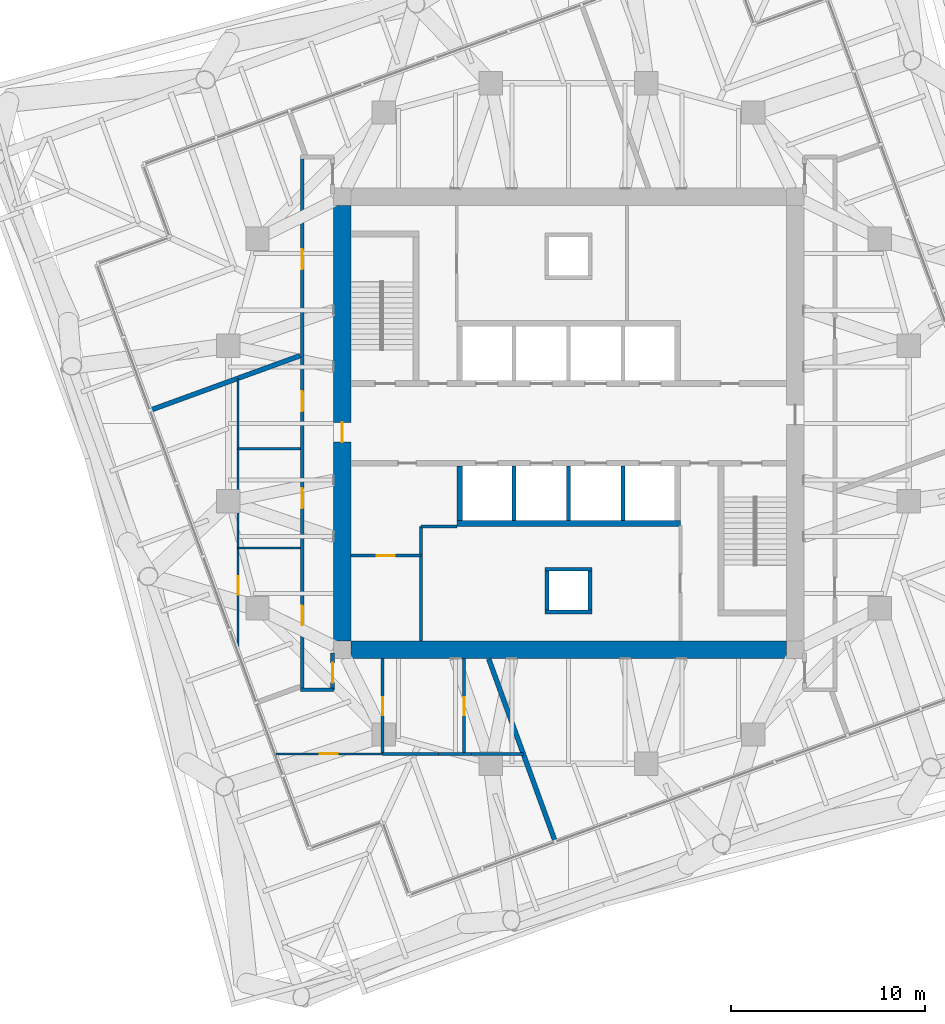
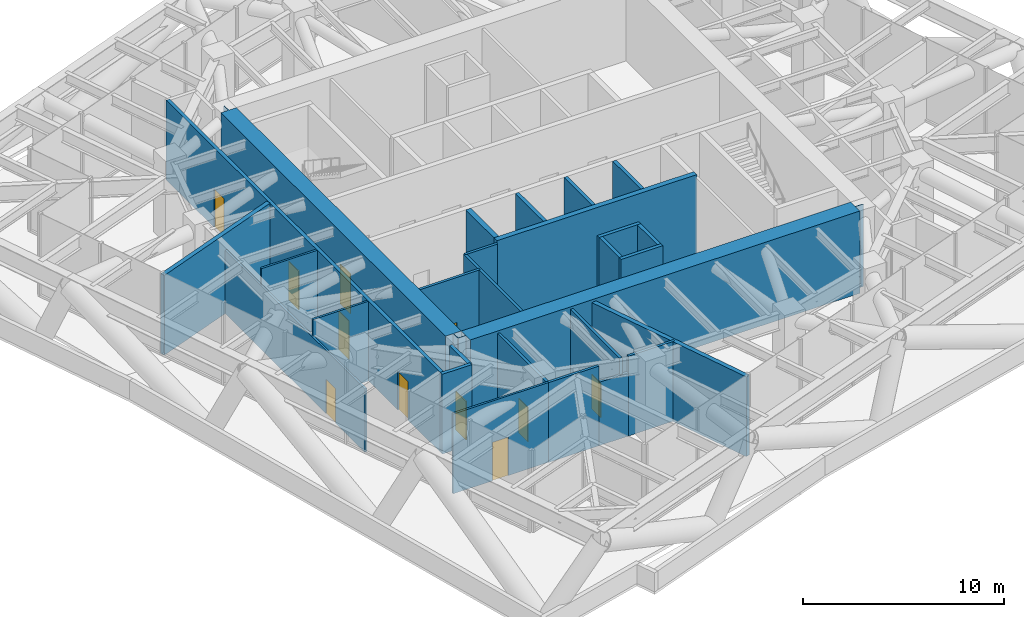
# One storey, part 8 of 12: 28 walls, 11 doors, 11 openings.
"""IFC4 building model written with IfcOpenShell, lengths in metres."""

from ifc_helpers import new_model, si_unit, direction, frame, frame_2d, origin, place, context, subcontext, project, spatial, polyline, rectangle, outline, extrude, material, layer, layer_set, type_object, element, fill, save


model = new_model("IFC4")

# Units and contexts
model_context = context("Model", 3, precision=1e-05, world=origin(), true_north=direction((0.0, 1.0)))
body_context = subcontext(model_context, "Body", "Model", "MODEL_VIEW")
ifc_project = project(units=[si_unit("LENGTHUNIT", "METRE"), si_unit("AREAUNIT", "SQUARE_METRE"), si_unit("VOLUMEUNIT", "CUBIC_METRE"), si_unit("PLANEANGLEUNIT", "RADIAN"), si_unit("MASSUNIT", "GRAM", prefix="KILO")], contexts=[model_context])

# Site, building, storey
site_placement = place(None, origin())
site = spatial("IfcSite", under=ifc_project, at=site_placement, CompositionType="ELEMENT")
building_placement = place(site_placement, origin())
building = spatial("IfcBuilding", under=site, at=building_placement, Name="Torsade Residences", CompositionType="ELEMENT")
storey_placement = place(building_placement, frame((0.0, 0.0, 138.800048828125)))
storey = spatial("IfcBuildingStorey", under=building, at=storey_placement, Name="L38", CompositionType="ELEMENT", Elevation=138.800048828125)

# Walls
ifc_material_1 = material(Name="Concrete 80 MPa", Category="concrete")
ifc_layer_1 = layer(ifc_material_1, 0.300048828125)
ifc_layer_set_1 = layer_set([ifc_layer_1], Name="Concrete 80 MPa")
wall_type_1 = type_object("IfcWallType", Name="CORE INTERNAL WALL 300", PredefinedType="SHEAR", material=ifc_layer_set_1)
wall_1_placement = place(storey_placement, frame((45.75, 24.85009765625, 0.0), z_axis=(0.0, 0.0, 1.0), x_axis=(-1.0, 0.0, 0.0)))
element("IfcWall", 1, at=wall_1_placement, inside=storey, type_object=wall_type_1, Name="Core wall BS L38", PredefinedType="SHEAR", context=body_context, shape_type="SweptSolid", body=[
    extrude(rectangle(XDim=11.5, YDim=0.300048828125, at=frame_2d((5.75, 0.0))), origin(), (0.0, 0.0, 1.0), 5.0),
])
wall_2_placement = place(storey_placement, frame((34.39990234375, 27.800048828125, 0.0), z_axis=(0.0, 0.0, 1.0), x_axis=(0.0, -1.0, 0.0)))
element("IfcWall", 2, at=wall_2_placement, inside=storey, type_object=wall_type_1, Name="Core wall DS4 L38", PredefinedType="SHEAR", context=body_context, shape_type="SweptSolid", body=[
    extrude(rectangle(XDim=2.800048828125, YDim=0.300048828125, at=frame_2d((1.39990234375, 0.0))), origin(), (0.0, 0.0, 1.0), 5.0),
])
ifc_material_2 = material(Name="Concrete 80 MPa", Category="concrete")
ifc_layer_2 = layer(ifc_material_2, 0.89990234375)
ifc_layer_set_2 = layer_set([ifc_layer_2], Name="Concrete 80 MPa")
wall_type_2 = type_object("IfcWallType", Name="CORE WALL 900", PredefinedType="SHEAR", material=ifc_layer_set_2)
wall_3_placement = place(storey_placement, frame((51.199951171875, 18.35009765625, 0.0), z_axis=(0.0, 0.0, 1.0), x_axis=(-1.0, 0.0, 0.0)))
element("IfcWall", 3, at=wall_3_placement, inside=storey, type_object=wall_type_2, Name="Core wall S L38", PredefinedType="SHEAR", context=body_context, shape_type="SweptSolid", body=[
    extrude(outline(polyline([(0.0, -0.449951171875), (22.39990234375, -0.449951171875), (22.39990234375, -0.02490234375), (22.849853515625, -0.02490234375), (22.849853515625, 0.02490234375), (22.39990234375, 0.02490234375), (22.39990234375, 0.449951171875), (0.0, 0.449951171875), (0.0, 0.02490234375), (-0.449951171875, 0.02490234375), (-0.449951171875, -0.02490234375), (0.0, -0.02490234375), (0.0, -0.449951171875)])), origin(), (0.0, 0.0, 1.0), 5.0),
])

# Wall, opening, door
wall_4_placement = place(storey_placement, frame((28.35009765625, 41.199951171875, 0.0), z_axis=(0.0, 0.0, 1.0), x_axis=(0.0, -1.0, 0.0)))
wall_4 = element("IfcWall", 4, at=wall_4_placement, inside=storey, type_object=wall_type_2, Name="Core wall W L38", PredefinedType="SHEAR", context=body_context, shape_type="SweptSolid", body=[
    extrude(outline(polyline([(0.0, -0.449951171875), (22.39990234375, -0.449951171875), (22.39990234375, -0.02490234375), (22.849853515625, -0.02490234375), (22.849853515625, 0.02490234375), (22.39990234375, 0.02490234375), (22.39990234375, 0.449951171875), (0.0, 0.449951171875), (0.0, 0.02490234375), (-0.449951171875, 0.02490234375), (-0.449951171875, -0.02490234375), (0.0, -0.02490234375), (0.0, -0.449951171875)])), origin(), (0.0, 0.0, 1.0), 5.0),
])
opening_1_placement = place(wall_4_placement, frame((11.139892578125, 0.0, 0.0)))
opening_1 = element("IfcOpeningElement", 5, at=opening_1_placement, cuts=wall_4, Name="Opening D04", PredefinedType="OPENING", context=body_context, shape_type="SweptSolid", body=[
    extrude(rectangle(XDim=1.02001953125, YDim=2.39990234375, at=frame_2d((0.510009765625, 1.199951171875))), frame((0.0, 0.4599609375, 0.0), z_axis=(0.0, -1.0, 0.0), x_axis=(1.0, 0.0, 0.0)), (0.0, 0.0, 1.0), 0.919921875),
])
ifc_material_3 = material(Name="Steel-framed fire door", Category="steel")
door_type_1 = type_object("IfcDoorType", Name="LOBBY SMOKE DOOR 1020x2400", OperationType="NOTDEFINED", PredefinedType="DOOR", material=ifc_material_3)
door_1_placement = place(opening_1_placement, origin())
door_1 = element("IfcDoor", 6, at=door_1_placement, inside=storey, type_object=door_type_1, Name="Lift lobby door W L38", OperationType="SINGLE_SWING_RIGHT", OverallHeight=2.39990234375, OverallWidth=1.02001953125, PredefinedType="DOOR", context=body_context, shape_type="SweptSolid", body=[
    extrude(rectangle(XDim=1.02001953125, YDim=2.39990234375, at=frame_2d((0.510009765625, 1.199951171875))), frame((0.0, 0.02490234375, 0.0), z_axis=(0.0, -1.0, 0.0), x_axis=(1.0, 0.0, 0.0)), (0.0, 0.0, 1.0), 0.050048828125),
])
fill(opening_1, door_1)

# Wall, openings, doors
ifc_material_4 = material(Name="Plasterboard on steel stud", Category="steel")
ifc_layer_3 = layer(ifc_material_4, 0.199951171875)
ifc_layer_set_3 = layer_set([ifc_layer_3], Name="Plasterboard on steel stud")
wall_type_3 = type_object("IfcWallType", Name="CORRIDOR WALL 200", PredefinedType="PARTITIONING", material=ifc_layer_set_3)
wall_5_placement = place(storey_placement, frame((26.300048828125, 16.300048828125, 0.0), z_axis=(0.0, 0.0, 1.0), x_axis=(0.0, 1.0, 0.0)))
wall_5 = element("IfcWall", 7, at=wall_5_placement, inside=storey, type_object=wall_type_3, Name="Corridor wall L38", PredefinedType="PARTITIONING", context=body_context, shape_type="SweptSolid", body=[
    extrude(rectangle(XDim=27.39990234375, YDim=0.199951171875, at=frame_2d((13.699951171875, 0.0))), origin(), (0.0, 0.0, 1.0), 4.849853515625),
])
opening_2_placement = place(wall_5_placement, frame((21.638671875, 0.0, 0.0)))
opening_2 = element("IfcOpeningElement", 8, at=opening_2_placement, cuts=wall_5, Name="Opening D01", PredefinedType="OPENING", context=body_context, shape_type="SweptSolid", body=[
    extrude(rectangle(XDim=1.02001953125, YDim=2.340087890625, at=frame_2d((0.510009765625, 1.169921875))), frame((0.0, 0.10986328125, 0.0), z_axis=(0.0, -1.0, 0.0), x_axis=(1.0, 0.0, 0.0)), (0.0, 0.0, 1.0), 0.219970703125),
])
opening_3_placement = place(wall_5_placement, frame((3.312255859375, 0.0, 0.0)))
opening_3 = element("IfcOpeningElement", 9, at=opening_3_placement, cuts=wall_5, Name="Opening D01", PredefinedType="OPENING", context=body_context, shape_type="SweptSolid", body=[
    extrude(rectangle(XDim=1.02001953125, YDim=2.340087890625, at=frame_2d((0.510009765625, 1.169921875))), frame((0.0, 0.10986328125, 0.0), z_axis=(0.0, -1.0, 0.0), x_axis=(1.0, 0.0, 0.0)), (0.0, 0.0, 1.0), 0.219970703125),
])
opening_4_placement = place(wall_5_placement, frame((9.3408203125, 0.0, 0.0)))
opening_4 = element("IfcOpeningElement", 10, at=opening_4_placement, cuts=wall_5, Name="Opening D01", PredefinedType="OPENING", context=body_context, shape_type="SweptSolid", body=[
    extrude(rectangle(XDim=1.02001953125, YDim=2.340087890625, at=frame_2d((0.510009765625, 1.169921875))), frame((0.0, 0.10986328125, 0.0), z_axis=(0.0, -1.0, 0.0), x_axis=(1.0, 0.0, 0.0)), (0.0, 0.0, 1.0), 0.219970703125),
])
opening_5_placement = place(wall_5_placement, frame((14.333251953125, 0.0, 0.0)))
opening_5 = element("IfcOpeningElement", 11, at=opening_5_placement, cuts=wall_5, Name="Opening D01", PredefinedType="OPENING", context=body_context, shape_type="SweptSolid", body=[
    extrude(rectangle(XDim=1.02001953125, YDim=2.340087890625, at=frame_2d((0.510009765625, 1.169921875))), frame((0.0, 0.10986328125, 0.0), z_axis=(0.0, -1.0, 0.0), x_axis=(1.0, 0.0, 0.0)), (0.0, 0.0, 1.0), 0.219970703125),
])
ifc_material_5 = material(Name="Solid-core timber fire door", Category="wood")
door_type_2 = type_object("IfcDoorType", Name="APARTMENT ENTRY DOOR 1020x2340", OperationType="NOTDEFINED", PredefinedType="DOOR", material=ifc_material_5)
door_2_placement = place(opening_2_placement, origin())
door_2 = element("IfcDoor", 12, at=door_2_placement, inside=storey, type_object=door_type_2, Name="Door Residential corridor to Co-working room", OperationType="SINGLE_SWING_LEFT", OverallHeight=2.340087890625, OverallWidth=1.02001953125, PredefinedType="DOOR", context=body_context, shape_type="SweptSolid", body=[
    extrude(rectangle(XDim=1.02001953125, YDim=2.340087890625, at=frame_2d((0.510009765625, 1.169921875))), frame((0.0, 0.02490234375, 0.0), z_axis=(0.0, -1.0, 0.0), x_axis=(1.0, 0.0, 0.0)), (0.0, 0.0, 1.0), 0.050048828125),
])
fill(opening_2, door_2)
door_3_placement = place(opening_3_placement, origin())
door_3 = element("IfcDoor", 13, at=door_3_placement, inside=storey, type_object=door_type_2, Name="Door Residential corridor to Accessible WC", OperationType="SINGLE_SWING_RIGHT", OverallHeight=2.340087890625, OverallWidth=1.02001953125, PredefinedType="DOOR", context=body_context, shape_type="SweptSolid", body=[
    extrude(rectangle(XDim=1.02001953125, YDim=2.340087890625, at=frame_2d((0.510009765625, 1.169921875))), frame((0.0, 0.02490234375, 0.0), z_axis=(0.0, -1.0, 0.0), x_axis=(1.0, 0.0, 0.0)), (0.0, 0.0, 1.0), 0.050048828125),
])
fill(opening_3, door_3)
door_4_placement = place(opening_4_placement, origin())
door_4 = element("IfcDoor", 14, at=door_4_placement, inside=storey, type_object=door_type_2, Name="Door Residential corridor to Female WC", OperationType="SINGLE_SWING_LEFT", OverallHeight=2.340087890625, OverallWidth=1.02001953125, PredefinedType="DOOR", context=body_context, shape_type="SweptSolid", body=[
    extrude(rectangle(XDim=1.02001953125, YDim=2.340087890625, at=frame_2d((0.510009765625, 1.169921875))), frame((0.0, 0.02490234375, 0.0), z_axis=(0.0, -1.0, 0.0), x_axis=(1.0, 0.0, 0.0)), (0.0, 0.0, 1.0), 0.050048828125),
])
fill(opening_4, door_4)
door_5_placement = place(opening_5_placement, origin())
door_5 = element("IfcDoor", 15, at=door_5_placement, inside=storey, type_object=door_type_2, Name="Door Residential corridor to Male WC", OperationType="SINGLE_SWING_RIGHT", OverallHeight=2.340087890625, OverallWidth=1.02001953125, PredefinedType="DOOR", context=body_context, shape_type="SweptSolid", body=[
    extrude(rectangle(XDim=1.02001953125, YDim=2.340087890625, at=frame_2d((0.510009765625, 1.169921875))), frame((0.0, 0.02490234375, 0.0), z_axis=(0.0, -1.0, 0.0), x_axis=(1.0, 0.0, 0.0)), (0.0, 0.0, 1.0), 0.050048828125),
])
fill(opening_5, door_5)

# Wall
wall_6_placement = place(storey_placement, frame((27.89990234375, 16.300048828125, 0.0), z_axis=(0.0, 0.0, 1.0), x_axis=(-1.0, 0.0, 0.0)))
element("IfcWall", 16, at=wall_6_placement, inside=storey, type_object=wall_type_3, Name="Corridor wall L38", PredefinedType="PARTITIONING", context=body_context, shape_type="SweptSolid", body=[
    extrude(rectangle(XDim=1.699951171875, YDim=0.199951171875, at=frame_2d((0.85009765625, 0.0))), origin(), (0.0, 0.0, 1.0), 4.849853515625),
])

# Wall, opening, door
wall_7_placement = place(storey_placement, frame((27.860107421875, 16.300048828125, 0.0), z_axis=(0.0, 0.0, 1.0), x_axis=(0.0, 1.0, 0.0)))
wall_7 = element("IfcWall", 17, at=wall_7_placement, inside=storey, type_object=wall_type_3, Name="Corridor wall L38", PredefinedType="PARTITIONING", context=body_context, shape_type="SweptSolid", body=[
    extrude(rectangle(XDim=1.89990234375, YDim=0.199951171875, at=frame_2d((0.949951171875, 0.0))), origin(), (0.0, 0.0, 1.0), 4.849853515625),
])
opening_6_placement = place(wall_7_placement, frame((0.3701171875, 0.0, 0.0)))
opening_6 = element("IfcOpeningElement", 18, at=opening_6_placement, cuts=wall_7, Name="Opening D01", PredefinedType="OPENING", context=body_context, shape_type="SweptSolid", body=[
    extrude(rectangle(XDim=1.02001953125, YDim=2.340087890625, at=frame_2d((0.510009765625, 1.169921875))), frame((0.0, 0.10986328125, 0.0), z_axis=(0.0, -1.0, 0.0), x_axis=(1.0, 0.0, 0.0)), (0.0, 0.0, 1.0), 0.219970703125),
])
door_6_placement = place(opening_6_placement, origin())
door_6 = element("IfcDoor", 19, at=door_6_placement, inside=storey, type_object=door_type_2, Name="Door Residential corridor to Servery", OperationType="SINGLE_SWING_LEFT", OverallHeight=2.340087890625, OverallWidth=1.02001953125, PredefinedType="DOOR", context=body_context, shape_type="SweptSolid", body=[
    extrude(rectangle(XDim=1.02001953125, YDim=2.340087890625, at=frame_2d((0.510009765625, 1.169921875))), frame((0.0, 0.02490234375, 0.0), z_axis=(0.0, -1.0, 0.0), x_axis=(1.0, 0.0, 0.0)), (0.0, 0.0, 1.0), 0.050048828125),
])
fill(opening_6, door_6)

# Walls
ifc_material_6 = material(Name="Reinforced blockwork", Category="masonry")
ifc_layer_4 = layer(ifc_material_6, 0.199951171875)
ifc_layer_set_4 = layer_set([ifc_layer_4], Name="Reinforced blockwork")
wall_type_4 = type_object("IfcWallType", Name="LIFT SHAFT DIVIDING WALL 200", PredefinedType="SOLIDWALL", material=ifc_layer_set_4)
for number, where, z_axis, x_axis, name in (
    (20, (42.800048828125, 27.800048828125, 0.0), (0.0, 0.0, 1.0), (0.0, -1.0, 0.0), "Core wall DS1 L38"),
    (21, (40.0, 27.800048828125, 0.0), (0.0, 0.0, 1.0), (0.0, -1.0, 0.0), "Core wall DS2 L38"),
    (22, (37.199951171875, 27.800048828125, 0.0), (0.0, 0.0, 1.0), (0.0, -1.0, 0.0), "Core wall DS3 L38"),
):
    element("IfcWall", number, at=place(storey_placement, frame(where, z_axis=z_axis, x_axis=x_axis)), inside=storey, type_object=wall_type_4, Name=name, PredefinedType="SOLIDWALL", context=body_context, shape_type="SweptSolid", body=[
        extrude(rectangle(XDim=2.800048828125, YDim=0.199951171875, at=frame_2d((1.39990234375, 0.0))), origin(), (0.0, 0.0, 1.0), 5.0),
    ])
ifc_material_7 = material(Name="Plasterboard on steel stud", Category="steel")
ifc_layer_5 = layer(ifc_material_7, 0.1201171875)
ifc_layer_set_5 = layer_set([ifc_layer_5], Name="Plasterboard on steel stud")
wall_type_5 = type_object("IfcWallType", Name="PARTITION 120", PredefinedType="PARTITIONING", material=ifc_layer_set_5)
wall_8_placement = place(storey_placement, frame((23.0, 23.59423828125, 0.0), z_axis=(0.0, 0.0, 1.0), x_axis=(1.0, 0.0, 0.0)))
element("IfcWall", 23, at=wall_8_placement, inside=storey, type_object=wall_type_5, Name="Partition L38", PredefinedType="PARTITIONING", context=body_context, shape_type="SweptSolid", body=[
    extrude(rectangle(XDim=3.199951171875, YDim=0.1201171875, at=frame_2d((1.60009765625, 0.0))), origin(), (0.0, 0.0, 1.0), 4.849853515625),
])

# Wall, opening, door
wall_9_placement = place(storey_placement, frame((23.0, 18.27099609375, 0.0), z_axis=(0.0, 0.0, 1.0), x_axis=(0.0, 1.0, 0.0)))
wall_9 = element("IfcWall", 24, at=wall_9_placement, inside=storey, type_object=wall_type_5, Name="Partition L38", PredefinedType="PARTITIONING", context=body_context, shape_type="SweptSolid", body=[
    extrude(rectangle(XDim=14.054931640625, YDim=0.1201171875, at=frame_2d((7.02734375, 0.0))), origin(), (0.0, 0.0, 1.0), 3.849853515625),
])
opening_7_placement = place(wall_9_placement, frame((2.91162109375, 0.0, 0.0)))
opening_7 = element("IfcOpeningElement", 25, at=opening_7_placement, cuts=wall_9, Name="Opening D05", PredefinedType="OPENING", context=body_context, shape_type="SweptSolid", body=[
    extrude(rectangle(XDim=0.9599609375, YDim=2.10009765625, at=frame_2d((0.47998046875, 1.050048828125))), frame((0.0, 0.070068359375, 0.0), z_axis=(0.0, -1.0, 0.0), x_axis=(1.0, 0.0, 0.0)), (0.0, 0.0, 1.0), 0.14013671875),
])
ifc_material_8 = material(Name="Hollow-core timber door in a steel cavity frame", Category="steel")
door_type_3 = type_object("IfcDoorType", Name="BATHROOM CAVITY SLIDING DOOR 960", OperationType="SLIDING_TO_LEFT", PredefinedType="DOOR", material=ifc_material_8)
door_7_placement = place(opening_7_placement, origin())
door_7 = element("IfcDoor", 26, at=door_7_placement, inside=storey, type_object=door_type_3, Name="Door Accessible WC to Meeting room", OperationType="SLIDING_TO_LEFT", OverallHeight=2.10009765625, OverallWidth=0.9599609375, PredefinedType="DOOR", context=body_context, shape_type="SweptSolid", body=[
    extrude(rectangle(XDim=0.9599609375, YDim=2.10009765625, at=frame_2d((0.47998046875, 1.050048828125))), frame((0.0, 0.02490234375, 0.0), z_axis=(0.0, -1.0, 0.0), x_axis=(1.0, 0.0, 0.0)), (0.0, 0.0, 1.0), 0.050048828125),
])
fill(opening_7, door_7)

# Wall
wall_10_placement = place(storey_placement, frame((23.0, 28.70703125, 0.0), z_axis=(0.0, 0.0, 1.0), x_axis=(1.0, 0.0, 0.0)))
element("IfcWall", 27, at=wall_10_placement, inside=storey, type_object=wall_type_5, Name="Partition L38", PredefinedType="PARTITIONING", context=body_context, shape_type="SweptSolid", body=[
    extrude(rectangle(XDim=3.199951171875, YDim=0.1201171875, at=frame_2d((1.60009765625, 0.0))), origin(), (0.0, 0.0, 1.0), 4.849853515625),
])

# Wall, opening, door
wall_11_placement = place(storey_placement, frame((30.43408203125, 13.0, 0.0), z_axis=(0.0, 0.0, 1.0), x_axis=(-1.0, 0.0, 0.0)))
wall_11 = element("IfcWall", 28, at=wall_11_placement, inside=storey, type_object=wall_type_5, Name="Partition L38", PredefinedType="PARTITIONING", context=body_context, shape_type="SweptSolid", body=[
    extrude(rectangle(XDim=5.487548828125, YDim=0.1201171875, at=frame_2d((2.74365234375, 0.0))), origin(), (0.0, 0.0, 1.0), 4.849853515625),
])
opening_8_placement = place(wall_11_placement, frame((2.304931640625, 0.0, 0.0)))
opening_8 = element("IfcOpeningElement", 29, at=opening_8_placement, cuts=wall_11, Name="Opening D02", PredefinedType="OPENING", context=body_context, shape_type="SweptSolid", body=[
    extrude(rectangle(XDim=0.919921875, YDim=2.340087890625, at=frame_2d((0.4599609375, 1.169921875))), frame((0.0, 0.070068359375, 0.0), z_axis=(0.0, -1.0, 0.0), x_axis=(1.0, 0.0, 0.0)), (0.0, 0.0, 1.0), 0.14013671875),
])
ifc_material_9 = material(Name="Hollow-core timber door", Category="wood")
door_type_4 = type_object("IfcDoorType", Name="INTERNAL DOOR 920x2340", OperationType="NOTDEFINED", PredefinedType="DOOR", material=ifc_material_9)
door_8_placement = place(opening_8_placement, origin())
door_8 = element("IfcDoor", 30, at=door_8_placement, inside=storey, type_object=door_type_4, Name="Door Servery to Sky lounge and dining room", OperationType="SINGLE_SWING_LEFT", OverallHeight=2.340087890625, OverallWidth=0.919921875, PredefinedType="DOOR", context=body_context, shape_type="SweptSolid", body=[
    extrude(rectangle(XDim=0.919921875, YDim=2.340087890625, at=frame_2d((0.4599609375, 1.169921875))), frame((0.0, 0.02490234375, 0.0), z_axis=(0.0, -1.0, 0.0), x_axis=(1.0, 0.0, 0.0)), (0.0, 0.0, 1.0), 0.050048828125),
])
fill(opening_8, door_8)

# Walls
ifc_material_10 = material(Name="Masonry-lined stud party wall", Category="masonry")
ifc_layer_6 = layer(ifc_material_10, 0.25)
ifc_layer_set_6 = layer_set([ifc_layer_6], Name="Masonry-lined stud party wall")
wall_type_6 = type_object("IfcWallType", Name="PARTY WALL 250", PredefinedType="PARTITIONING", material=ifc_layer_set_6)
wall_12_placement = place(storey_placement, frame((39.32275390625, 8.469970703125, 0.0), z_axis=(0.0, 0.0, 1.0), x_axis=(-0.342004948299, 0.939698151184, 0.0)))
element("IfcWall", 31, at=wall_12_placement, inside=storey, type_object=wall_type_6, Name="Party wall L38", PredefinedType="PARTITIONING", context=body_context, shape_type="SweptSolid", body=[
    extrude(rectangle(XDim=10.029541015625, YDim=0.25, at=frame_2d((5.0146484375, 0.0))), origin(), (0.0, 0.0, 1.0), 4.849853515625),
])
wall_13_placement = place(storey_placement, frame((18.469970703125, 30.67724609375, 0.0), z_axis=(0.0, 0.0, 1.0), x_axis=(0.939696268654, 0.342010120724, 0.0)))
element("IfcWall", 32, at=wall_13_placement, inside=storey, type_object=wall_type_6, Name="Party wall L38", PredefinedType="PARTITIONING", context=body_context, shape_type="SweptSolid", body=[
    extrude(rectangle(XDim=8.220703125, YDim=0.25, at=frame_2d((4.1103515625, 0.0))), origin(), (0.0, 0.0, 1.0), 4.849853515625),
])
ifc_material_11 = material(Name="Reinforced blockwork", Category="masonry")
ifc_layer_7 = layer(ifc_material_11, 0.199951171875)
ifc_layer_set_7 = layer_set([ifc_layer_7], Name="Reinforced blockwork")
wall_type_7 = type_object("IfcWallType", Name="RISER SHAFT WALL 200", PredefinedType="SOLIDWALL", material=ifc_layer_set_7)
for number, where, z_axis, x_axis, name in (
    (33, (38.89990234375, 22.39990234375, 0.0), (0.0, 0.0, 1.0), (0.0, -1.0, 0.0), "Core wall RS2a L38"),
    (34, (41.10009765625, 22.39990234375, 0.0), (0.0, 0.0, 1.0), (0.0, -1.0, 0.0), "Core wall RS2b L38"),
):
    element("IfcWall", number, at=place(storey_placement, frame(where, z_axis=z_axis, x_axis=x_axis)), inside=storey, type_object=wall_type_7, Name=name, PredefinedType="SOLIDWALL", context=body_context, shape_type="SweptSolid", body=[
        extrude(rectangle(XDim=2.0, YDim=0.199951171875, at=frame_2d((1.0, 0.0))), origin(), (0.0, 0.0, 1.0), 5.0),
    ])
for number, where, z_axis, x_axis, name in (
    (35, (38.800048828125, 22.5, 0.0), (0.0, 0.0, 1.0), (1.0, 0.0, 0.0), "Core wall RS2c L38"),
    (36, (38.800048828125, 20.300048828125, 0.0), (0.0, 0.0, 1.0), (1.0, 0.0, 0.0), "Core wall RS2d L38"),
):
    element("IfcWall", number, at=place(storey_placement, frame(where, z_axis=z_axis, x_axis=x_axis)), inside=storey, type_object=wall_type_7, Name=name, PredefinedType="SOLIDWALL", context=body_context, shape_type="SweptSolid", body=[
        extrude(rectangle(XDim=2.39990234375, YDim=0.199951171875, at=frame_2d((1.199951171875, 0.0))), origin(), (0.0, 0.0, 1.0), 5.0),
    ])
ifc_material_12 = material(Name="Reinforced blockwork", Category="masonry")
ifc_layer_8 = layer(ifc_material_12, 0.14990234375)
ifc_layer_set_8 = layer_set([ifc_layer_8], Name="Reinforced blockwork")
wall_type_8 = type_object("IfcWallType", Name="SERVICE ROOM WALL 150", PredefinedType="SOLIDWALL", material=ifc_layer_set_8)
wall_14_placement = place(storey_placement, frame((32.39990234375, 18.800048828125, 0.0), z_axis=(0.0, 0.0, 1.0), x_axis=(0.0, 1.0, 0.0)))
element("IfcWall", 37, at=wall_14_placement, inside=storey, type_object=wall_type_8, Name="Service room wall L38", PredefinedType="SOLIDWALL", context=body_context, shape_type="SweptSolid", body=[
    extrude(rectangle(XDim=5.89990234375, YDim=0.14990234375, at=frame_2d((2.949951171875, 0.0))), origin(), (0.0, 0.0, 1.0), 4.849853515625),
])
wall_15_placement = place(storey_placement, frame((32.39990234375, 24.699951171875, 0.0), z_axis=(0.0, 0.0, 1.0), x_axis=(1.0, 0.0, 0.0)))
element("IfcWall", 38, at=wall_15_placement, inside=storey, type_object=wall_type_8, Name="Service room wall L38", PredefinedType="SOLIDWALL", context=body_context, shape_type="SweptSolid", body=[
    extrude(rectangle(XDim=1.85009765625, YDim=0.14990234375, at=frame_2d((0.925048828125, 0.0))), origin(), (0.0, 0.0, 1.0), 4.849853515625),
])

# Wall, opening, door
wall_16_placement = place(storey_placement, frame((32.39990234375, 23.199951171875, 0.0), z_axis=(0.0, 0.0, 1.0), x_axis=(-1.0, 0.0, 0.0)))
wall_16 = element("IfcWall", 39, at=wall_16_placement, inside=storey, type_object=wall_type_8, Name="Service room wall L38", PredefinedType="SOLIDWALL", context=body_context, shape_type="SweptSolid", body=[
    extrude(rectangle(XDim=3.599853515625, YDim=0.14990234375, at=frame_2d((1.7998046875, 0.0))), origin(), (0.0, 0.0, 1.0), 4.849853515625),
])
opening_9_placement = place(wall_16_placement, frame((1.340087890625, 0.0, 0.0)))
opening_9 = element("IfcOpeningElement", 40, at=opening_9_placement, cuts=wall_16, Name="Opening D06", PredefinedType="OPENING", context=body_context, shape_type="SweptSolid", body=[
    extrude(rectangle(XDim=0.919921875, YDim=2.10009765625, at=frame_2d((0.4599609375, 1.050048828125))), frame((0.0, 0.0849609375, 0.0), z_axis=(0.0, -1.0, 0.0), x_axis=(1.0, 0.0, 0.0)), (0.0, 0.0, 1.0), 0.169921875),
])
ifc_material_13 = material(Name="Steel-framed fire door", Category="steel")
door_type_5 = type_object("IfcDoorType", Name="FIRE DOOR 920", OperationType="NOTDEFINED", PredefinedType="DOOR", material=ifc_material_13)
door_9_placement = place(opening_9_placement, origin())
door_9 = element("IfcDoor", 41, at=door_9_placement, inside=storey, type_object=door_type_5, Name="Door Cleaner store to Sprinkler valve room", OperationType="SINGLE_SWING_LEFT", OverallHeight=2.10009765625, OverallWidth=0.919921875, PredefinedType="DOOR", context=body_context, shape_type="SweptSolid", body=[
    extrude(rectangle(XDim=0.919921875, YDim=2.10009765625, at=frame_2d((0.4599609375, 1.050048828125))), frame((0.0, 0.02490234375, 0.0), z_axis=(0.0, -1.0, 0.0), x_axis=(1.0, 0.0, 0.0)), (0.0, 0.0, 1.0), 0.050048828125),
])
fill(opening_9, door_9)

wall_17_placement = place(storey_placement, frame((30.43408203125, 17.89990234375, 0.0), z_axis=(0.0, 0.0, 1.0), x_axis=(0.0, -1.0, 0.0)))
wall_17 = element("IfcWall", 42, at=wall_17_placement, inside=storey, type_object=wall_type_8, Name="Service room wall L38", PredefinedType="SOLIDWALL", context=body_context, shape_type="SweptSolid", body=[
    extrude(rectangle(XDim=4.89990234375, YDim=0.14990234375, at=frame_2d((2.449951171875, 0.0))), origin(), (0.0, 0.0, 1.0), 4.849853515625),
])
opening_10_placement = place(wall_17_placement, frame((1.989990234375, 0.0, 0.0)))
opening_10 = element("IfcOpeningElement", 43, at=opening_10_placement, cuts=wall_17, Name="Opening D06", PredefinedType="OPENING", context=body_context, shape_type="SweptSolid", body=[
    extrude(rectangle(XDim=0.919921875, YDim=2.10009765625, at=frame_2d((0.4599609375, 1.050048828125))), frame((0.0, 0.0849609375, 0.0), z_axis=(0.0, -1.0, 0.0), x_axis=(1.0, 0.0, 0.0)), (0.0, 0.0, 1.0), 0.169921875),
])
door_10_placement = place(opening_10_placement, origin())
door_10 = element("IfcDoor", 44, at=door_10_placement, inside=storey, type_object=door_type_5, Name="Door Servery to Store", OperationType="SINGLE_SWING_RIGHT", OverallHeight=2.10009765625, OverallWidth=0.919921875, PredefinedType="DOOR", context=body_context, shape_type="SweptSolid", body=[
    extrude(rectangle(XDim=0.919921875, YDim=2.10009765625, at=frame_2d((0.4599609375, 1.050048828125))), frame((0.0, 0.02490234375, 0.0), z_axis=(0.0, -1.0, 0.0), x_axis=(1.0, 0.0, 0.0)), (0.0, 0.0, 1.0), 0.050048828125),
])
fill(opening_10, door_10)

wall_18_placement = place(storey_placement, frame((34.630615234375, 17.89990234375, 0.0), z_axis=(0.0, 0.0, 1.0), x_axis=(0.0, -1.0, 0.0)))
wall_18 = element("IfcWall", 45, at=wall_18_placement, inside=storey, type_object=wall_type_8, Name="Service room wall L38", PredefinedType="SOLIDWALL", context=body_context, shape_type="SweptSolid", body=[
    extrude(rectangle(XDim=4.89990234375, YDim=0.14990234375, at=frame_2d((2.449951171875, 0.0))), origin(), (0.0, 0.0, 1.0), 4.849853515625),
])
opening_11_placement = place(wall_18_placement, frame((1.989990234375, 0.0, 0.0)))
opening_11 = element("IfcOpeningElement", 46, at=opening_11_placement, cuts=wall_18, Name="Opening D06", PredefinedType="OPENING", context=body_context, shape_type="SweptSolid", body=[
    extrude(rectangle(XDim=0.919921875, YDim=2.10009765625, at=frame_2d((0.4599609375, 1.050048828125))), frame((0.0, 0.0849609375, 0.0), z_axis=(0.0, -1.0, 0.0), x_axis=(1.0, 0.0, 0.0)), (0.0, 0.0, 1.0), 0.169921875),
])
door_11_placement = place(opening_11_placement, origin())
door_11 = element("IfcDoor", 47, at=door_11_placement, inside=storey, type_object=door_type_5, Name="Door Store to Cleaner store", OperationType="SINGLE_SWING_RIGHT", OverallHeight=2.10009765625, OverallWidth=0.919921875, PredefinedType="DOOR", context=body_context, shape_type="SweptSolid", body=[
    extrude(rectangle(XDim=0.919921875, YDim=2.10009765625, at=frame_2d((0.4599609375, 1.050048828125))), frame((0.0, 0.02490234375, 0.0), z_axis=(0.0, -1.0, 0.0), x_axis=(1.0, 0.0, 0.0)), (0.0, 0.0, 1.0), 0.050048828125),
])
fill(opening_11, door_11)

# Walls
wall_19_placement = place(storey_placement, frame((37.674072265625, 13.0, 0.0), z_axis=(0.0, 0.0, 1.0), x_axis=(-1.0, 0.0, 0.0)))
element("IfcWall", 48, at=wall_19_placement, inside=storey, type_object=wall_type_8, Name="Service room wall L38", PredefinedType="SOLIDWALL", context=body_context, shape_type="SweptSolid", body=[
    extrude(rectangle(XDim=2.662353515625, YDim=0.14990234375, at=frame_2d((1.3310546875, 0.0))), origin(), (0.0, 0.0, 1.0), 4.849853515625),
])
wall_20_placement = place(storey_placement, frame((35.01171875, 13.0, 0.0), z_axis=(0.0, 0.0, 1.0), x_axis=(-1.0, 0.0, 0.0)))
element("IfcWall", 49, at=wall_20_placement, inside=storey, type_object=wall_type_8, Name="Service room wall L38", PredefinedType="SOLIDWALL", context=body_context, shape_type="SweptSolid", body=[
    extrude(rectangle(XDim=1.690185546875, YDim=0.14990234375, at=frame_2d((0.84521484375, 0.0))), origin(), (0.0, 0.0, 1.0), 3.849853515625),
])
wall_21_placement = place(storey_placement, frame((33.321533203125, 13.0, 0.0), z_axis=(0.0, 0.0, 1.0), x_axis=(-1.0, 0.0, 0.0)))
element("IfcWall", 50, at=wall_21_placement, inside=storey, type_object=wall_type_8, Name="Service room wall L38", PredefinedType="SOLIDWALL", context=body_context, shape_type="SweptSolid", body=[
    extrude(rectangle(XDim=2.887451171875, YDim=0.14990234375, at=frame_2d((1.44384765625, 0.0))), origin(), (0.0, 0.0, 1.0), 4.849853515625),
])

save(model, "model.ifc")
